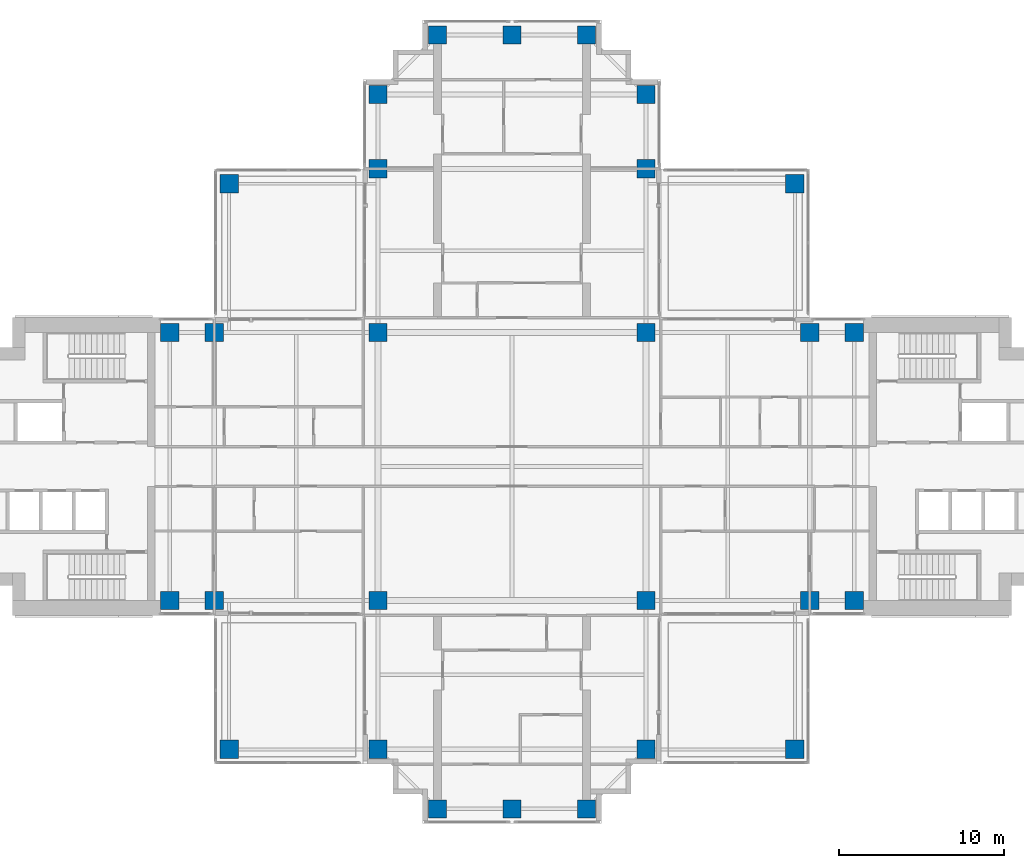
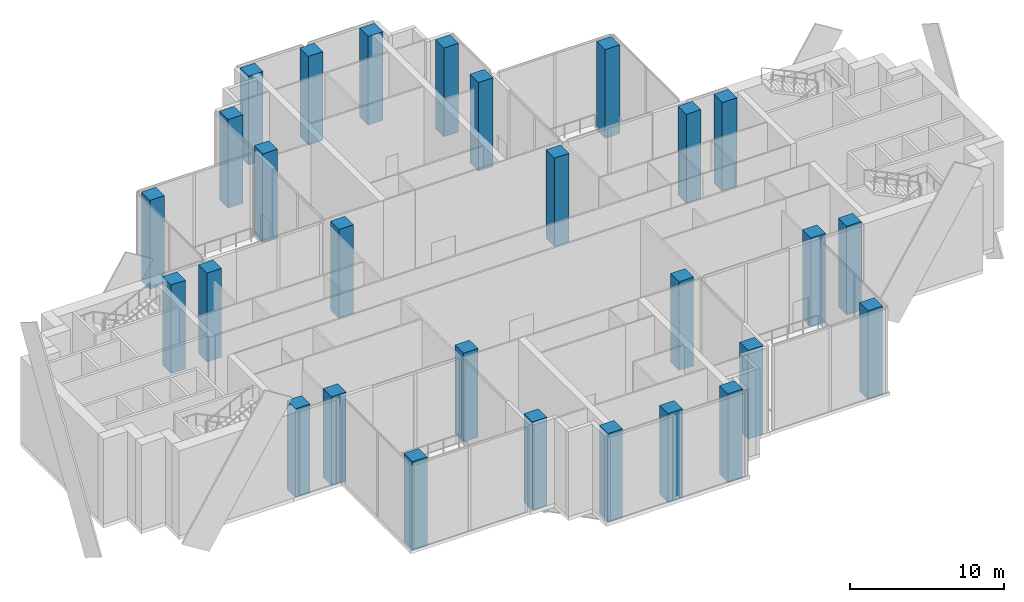
# One storey, part 1 of 17: 28 columns.
"""IFC4 building model written with IfcOpenShell, lengths in metres."""

import ifcopenshell
import ifcopenshell.guid

model = None  # the IFC model being written
_history = None  # IfcOwnerHistory: only IFC2X3 demands one
_inside = {}  # id of a spatial element -> (the spatial element, [elements in it])
_under = {}  # id of a project, library or spatial element -> (it, [spatial elements below it])
_declared = {}  # id of a project -> (the project, [libraries it declares])
_typed = {}  # id of a type object -> (the type object, [elements of that type])
_made_of = {}  # id of a material, layer set ... -> (it, [elements and type objects made of it])


def new_model(schema):
    """Start an empty IFC model of exactly this schema.

    Asked for "IFC4X3", IfcOpenShell would pick the latest addendum, in which some entities
    have other attributes; the version numbers below select the first issue.
    IFC2X3 requires an IfcOwnerHistory on every rooted entity: one is made here for all.
    """
    global model, _history
    if schema == "IFC4X3":
        model = ifcopenshell.file(schema_version=(4, 3, 0, 0))
    else:
        model = ifcopenshell.file(schema=schema)
    _inside.clear()
    _under.clear()
    _declared.clear()
    _typed.clear()
    _made_of.clear()
    _history = None
    if model.schema == "IFC2X3":
        org = make("IfcOrganization", Name="unknown")
        user = make(
            "IfcPersonAndOrganization",
            ThePerson=make("IfcPerson", FamilyName="unknown"),
            TheOrganization=org,
        )
        app = make(
            "IfcApplication",
            ApplicationDeveloper=org,
            Version="unknown",
            ApplicationFullName="unknown",
            ApplicationIdentifier="unknown",
        )
        _history = make(
            "IfcOwnerHistory",
            OwningUser=user,
            OwningApplication=app,
            ChangeAction="ADDED",
            CreationDate=0,
        )
    return model


def make(cls, **values):
    """One entity of the class cls with the attributes given. An attribute that is None is left unset."""
    return model.create_entity(
        cls, **{name: value for name, value in values.items() if value is not None}
    )


def rooted(cls, **values):
    """An entity with a GlobalId (a new one), such as an element, a storey or a relation."""
    return make(cls, GlobalId=ifcopenshell.guid.new(), OwnerHistory=_history, **values)


def si_unit(unit_type, name, prefix=None):
    """IfcSIUnit, for example si_unit("LENGTHUNIT", "METRE", prefix="MILLI")."""
    return make("IfcSIUnit", UnitType=unit_type, Prefix=prefix, Name=name)


def assignment(units):
    """IfcUnitAssignment: the units of a project."""
    return None if units is None else make("IfcUnitAssignment", Units=units)


def point(xyz):
    """IfcCartesianPoint."""
    return None if xyz is None else make("IfcCartesianPoint", Coordinates=xyz)


def direction(xyz):
    """IfcDirection."""
    return None if xyz is None else make("IfcDirection", DirectionRatios=xyz)


def frame(location, z_axis=None, x_axis=None):
    """IfcAxis2Placement3D, a coordinate frame: its origin and axes. An axis left out is left unset."""
    return make(
        "IfcAxis2Placement3D",
        Location=point(location),
        Axis=direction(z_axis),
        RefDirection=direction(x_axis),
    )


def frame_2d(location, x_axis=None):
    """IfcAxis2Placement2D, a coordinate frame in the plane: its origin and x axis."""
    return make(
        "IfcAxis2Placement2D", Location=point(location), RefDirection=direction(x_axis)
    )


def origin():
    """The frame at (0, 0, 0) with its axes left unset."""
    return frame((0.0, 0.0, 0.0))


def origin_2d():
    """The frame at (0, 0) in the plane with its x axis left unset."""
    return frame_2d((0.0, 0.0))


def place(relative_to, where):
    """IfcLocalPlacement: puts the frame where relative to a parent placement (None: the world)."""
    return make(
        "IfcLocalPlacement", PlacementRelTo=relative_to, RelativePlacement=where
    )


def context(
    kind, dimensions, precision=None, world=None, true_north=None, identifier=None
):
    """IfcGeometricRepresentationContext, for example the 3D "Model" context."""
    return make(
        "IfcGeometricRepresentationContext",
        ContextIdentifier=identifier,
        ContextType=kind,
        CoordinateSpaceDimension=dimensions,
        Precision=precision,
        WorldCoordinateSystem=world,
        TrueNorth=true_north,
    )


def subcontext(parent, identifier, kind, view, scale=None):
    """IfcGeometricRepresentationSubContext, for example "Body" below "Model"."""
    return make(
        "IfcGeometricRepresentationSubContext",
        ContextIdentifier=identifier,
        ContextType=kind,
        ParentContext=parent,
        TargetScale=scale,
        TargetView=view,
    )


def project(units=None, contexts=None):
    """IfcProject with its units and contexts."""
    return rooted(
        "IfcProject",
        Name="project",
        RepresentationContexts=contexts,
        UnitsInContext=assignment(units),
    )


def spatial(cls, under=None, at=None, **own):
    """A site, building, storey or space (cls), placed at a placement, below another one or the project."""
    s = rooted(cls, ObjectPlacement=at, **own)
    if under is not None:
        _under.setdefault(under.id(), (under, []))[1].append(s)
    return s


def profile(cls, at=None, kind="AREA", **sizes):
    """A parametric profile (cls). Its sizes go by their IFC names, for example OverallWidth=200.0."""
    return make(cls, ProfileType=kind, Position=at, **sizes)


def rectangle(**sizes):
    """IfcRectangleProfileDef."""
    return profile("IfcRectangleProfileDef", **sizes)


def extrude(swept, where, along, depth):
    """IfcExtrudedAreaSolid: the profile swept, set in the frame where, extruded along a direction by depth."""
    return make(
        "IfcExtrudedAreaSolid",
        SweptArea=swept,
        Position=where,
        ExtrudedDirection=direction(along),
        Depth=depth,
    )


def shape(context_of_items, identifier, shape_type, items):
    """IfcShapeRepresentation: the items that make up one representation, for example the "Body"."""
    return make(
        "IfcShapeRepresentation",
        ContextOfItems=context_of_items,
        RepresentationIdentifier=identifier,
        RepresentationType=shape_type,
        Items=items,
    )


def material(Name=None, Category=None):
    """IfcMaterial."""
    return make("IfcMaterial", Name=Name, Category=Category)


def material_profile(
    of_material, cross_section, Name=None, Category=None, Priority=None
):
    """IfcMaterialProfile: a cross section and its material."""
    return make(
        "IfcMaterialProfile",
        Name=Name,
        Material=of_material,
        Profile=cross_section,
        Priority=Priority,
        Category=Category,
    )


def profile_set(profiles, Name=None, composite=None):
    """IfcMaterialProfileSet."""
    return make(
        "IfcMaterialProfileSet",
        Name=Name,
        MaterialProfiles=profiles,
        CompositeProfile=composite,
    )


def made_of(thing, what):
    """Note that an element or type object is made of a material, layer set ...; save() writes the relation."""
    if what is not None:
        _made_of.setdefault(what.id(), (what, []))[1].append(thing)
    return thing


def type_object(cls, material=None, **own):
    """A type object (cls), such as IfcWallType, which elements share."""
    return made_of(rooted(cls, **own), material)


def element(
    cls,
    number,
    at=None,
    inside=None,
    cuts=None,
    type_object=None,
    material=None,
    context=None,
    identifier="Body",
    shape_type=None,
    held_by="IfcProductDefinitionShape",
    body=None,
    shapes=None,
    **own,
):
    """One element of the class cls, such as IfcWall. Its Tag is "e" and its number.

    at: its placement. inside: the storey or other place that contains it. cuts: it is an
    opening in that element (IfcRelVoidsElement). A single representation is given by context,
    identifier, shape_type and body (its items); several are given by shapes. held_by: the class
    of the entity that holds the representations. save() writes the other relations.
    """
    e = rooted(cls, Tag="e%d" % number, ObjectPlacement=at, **own)
    if body is not None:
        shapes = [shape(context, identifier, shape_type, body)]
    if shapes is not None:
        e.Representation = make(held_by, Representations=shapes)
    if inside is not None:
        _inside.setdefault(inside.id(), (inside, []))[1].append(e)
    if cuts is not None:
        rooted(
            "IfcRelVoidsElement", RelatingBuildingElement=cuts, RelatedOpeningElement=e
        )
    if type_object is not None:
        _typed.setdefault(type_object.id(), (type_object, []))[1].append(e)
    return made_of(e, material)


def aggregate(whole, parts):
    """IfcRelAggregates: a whole, such as a stair, and the parts it consists of."""
    return rooted("IfcRelAggregates", RelatingObject=whole, RelatedObjects=parts)


def save(model, path):
    """Write the relations noted so far, then the file.

    IfcRelAggregates (storeys below a building ...), IfcRelContainedInSpatialStructure (elements
    in a storey), IfcRelDefinesByType, IfcRelAssociatesMaterial and IfcRelDeclares: one each for
    every whole, place, type object, material and project.
    """
    for whole, parts in _under.values():
        aggregate(whole, parts)
    for where, things in _inside.values():
        rooted(
            "IfcRelContainedInSpatialStructure",
            RelatedElements=things,
            RelatingStructure=where,
        )
    for kind, things in _typed.values():
        rooted("IfcRelDefinesByType", RelatedObjects=things, RelatingType=kind)
    for what, things in _made_of.values():
        rooted("IfcRelAssociatesMaterial", RelatedObjects=things, RelatingMaterial=what)
    for by, libraries in _declared.values():
        rooted("IfcRelDeclares", RelatingContext=by, RelatedDefinitions=libraries)
    model.write(path)


model = new_model("IFC4")

# Units and contexts
model_context = context("Model", 3, precision=1e-05, world=origin(), true_north=direction((0.0, 1.0)))
body_context = subcontext(model_context, "Body", "Model", "MODEL_VIEW")
ifc_project = project(units=[si_unit("LENGTHUNIT", "METRE"), si_unit("AREAUNIT", "SQUARE_METRE"), si_unit("VOLUMEUNIT", "CUBIC_METRE"), si_unit("PLANEANGLEUNIT", "RADIAN"), si_unit("MASSUNIT", "GRAM", prefix="KILO")], contexts=[model_context])

# Site, building, storey
site_placement = place(None, origin())
site = spatial("IfcSite", under=ifc_project, at=site_placement, CompositionType="ELEMENT")
building_placement = place(site_placement, origin())
building = spatial("IfcBuilding", under=site, at=building_placement, Name="Perihelion Cross Residences", CompositionType="ELEMENT")
storey_placement = place(building_placement, frame((0.0, 0.0, 154.89990234375)))
storey = spatial("IfcBuildingStorey", under=building, at=storey_placement, Name="L38", CompositionType="ELEMENT", Elevation=154.89990234375)

# Columns
ifc_material = material(Name="Concrete C60/75", Category="concrete")
ifc_material_profile = material_profile(ifc_material, rectangle(XDim=1.10009765625, YDim=1.10009765625, at=origin_2d()), Name="RC 1100x1100")
ifc_profile_set = profile_set([ifc_material_profile], Name="Concrete C60/75")
column_type = type_object("IfcColumnType", Name="Reinforced concrete column 1100x1100 C60/75", PredefinedType="COLUMN", material=ifc_profile_set)
for number, where, z_axis, x_axis, name in (
    (1, (-20.699951171875, -8.10009765625, -0.2998046875), (0.0, 0.0, 1.0), (1.0, 0.0, 0.0), "Column C017 L38 no. 1"),
    (2, (-20.699951171875, 8.10009765625, -0.2998046875), (0.0, 0.0, 1.0), (1.0, 0.0, 0.0), "Column C010 L38 no. 1"),
    (3, (-18.0, -8.10009765625, -0.2998046875), (0.0, 0.0, 1.0), (1.0, 0.0, 0.0), "Column C018 L38 no. 1"),
    (4, (-18.0, 8.10009765625, -0.2998046875), (0.0, 0.0, 1.0), (1.0, 0.0, 0.0), "Column C011 L38 no. 1"),
    (5, (-8.10009765625, -17.10009765625, -0.2998046875), (0.0, 0.0, 1.0), (1.0, 0.0, 0.0), "Column C031 L38 no. 1"),
    (6, (-8.10009765625, -8.10009765625, -0.2998046875), (0.0, 0.0, 1.0), (1.0, 0.0, 0.0), "Column C019 L38 no. 1"),
    (7, (-8.10009765625, 8.10009765625, -0.2998046875), (0.0, 0.0, 1.0), (1.0, 0.0, 0.0), "Column C012 L38 no. 1"),
    (8, (-8.10009765625, 18.0, -0.2998046875), (0.0, 0.0, 1.0), (1.0, 0.0, 0.0), "Column C006 L38 no. 1"),
    (9, (-8.10009765625, 22.5, -0.2998046875), (0.0, 0.0, 1.0), (1.0, 0.0, 0.0), "Column C004 L38 no. 1"),
    (10, (-4.5, -20.699951171875, -0.2998046875), (0.0, 0.0, 1.0), (1.0, 0.0, 0.0), "Column C037 L38 no. 1"),
    (11, (-4.5, 26.10009765625, -0.2998046875), (0.0, 0.0, 1.0), (1.0, 0.0, 0.0), "Column C001 L38 no. 1"),
    (12, (0.0, -20.699951171875, -0.2998046875), (0.0, 0.0, 1.0), (1.0, 0.0, 0.0), "Column C038 L38 no. 1"),
    (13, (0.0, 26.10009765625, -0.2998046875), (0.0, 0.0, 1.0), (1.0, 0.0, 0.0), "Column C002 L38 no. 1"),
    (14, (4.5, -20.699951171875, -0.2998046875), (0.0, 0.0, 1.0), (1.0, 0.0, 0.0), "Column C039 L38 no. 1"),
    (15, (4.5, 26.10009765625, -0.2998046875), (0.0, 0.0, 1.0), (1.0, 0.0, 0.0), "Column C003 L38 no. 1"),
    (16, (8.10009765625, -17.10009765625, -0.2998046875), (0.0, 0.0, 1.0), (1.0, 0.0, 0.0), "Column C035 L38 no. 1"),
    (17, (8.10009765625, -8.10009765625, -0.2998046875), (0.0, 0.0, 1.0), (1.0, 0.0, 0.0), "Column C020 L38 no. 1"),
    (18, (8.10009765625, 8.10009765625, -0.2998046875), (0.0, 0.0, 1.0), (1.0, 0.0, 0.0), "Column C014 L38 no. 1"),
    (19, (8.10009765625, 18.0, -0.2998046875), (0.0, 0.0, 1.0), (1.0, 0.0, 0.0), "Column C007 L38 no. 1"),
    (20, (8.10009765625, 22.5, -0.2998046875), (0.0, 0.0, 1.0), (1.0, 0.0, 0.0), "Column C005 L38 no. 1"),
    (21, (18.0, -8.10009765625, -0.2998046875), (0.0, 0.0, 1.0), (1.0, 0.0, 0.0), "Column C021 L38 no. 1"),
    (22, (18.0, 8.10009765625, -0.2998046875), (0.0, 0.0, 1.0), (1.0, 0.0, 0.0), "Column C015 L38 no. 1"),
    (23, (20.699951171875, -8.10009765625, -0.2998046875), (0.0, 0.0, 1.0), (1.0, 0.0, 0.0), "Column C022 L38 no. 1"),
    (24, (20.699951171875, 8.10009765625, -0.2998046875), (0.0, 0.0, 1.0), (1.0, 0.0, 0.0), "Column C016 L38 no. 1"),
    (25, (17.10009765625, 17.10009765625, -0.2998046875), (0.0, 0.0, 1.0), (1.0, 0.0, 0.0), "Column C009 L38 no. 1"),
    (26, (-17.10009765625, 17.10009765625, -0.2998046875), (0.0, 0.0, 1.0), (1.0, 0.0, 0.0), "Column C008 L38 no. 1"),
    (27, (-17.10009765625, -17.10009765625, -0.2998046875), (0.0, 0.0, 1.0), (1.0, 0.0, 0.0), "Column C030 L38 no. 1"),
    (28, (17.10009765625, -17.10009765625, -0.2998046875), (0.0, 0.0, 1.0), (1.0, 0.0, 0.0), "Column C036 L38 no. 1"),
):
    element("IfcColumn", number, at=place(storey_placement, frame(where, z_axis=z_axis, x_axis=x_axis)), inside=storey, type_object=column_type, Name=name, PredefinedType="COLUMN", context=body_context, shape_type="SweptSolid", body=[
        extrude(rectangle(XDim=1.10009765625, YDim=1.10009765625, at=origin_2d()), origin(), (0.0, 0.0, 1.0), 7.0498046875),
    ])

save(model, "model.ifc")
